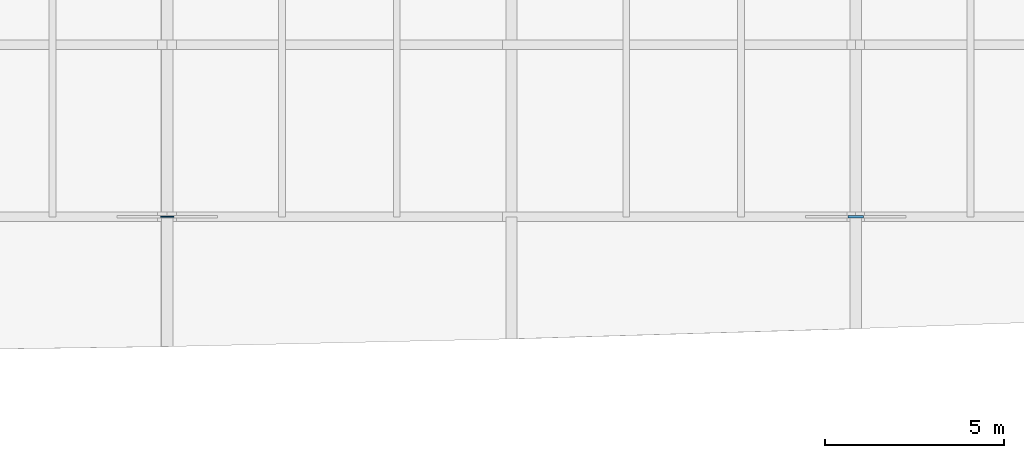
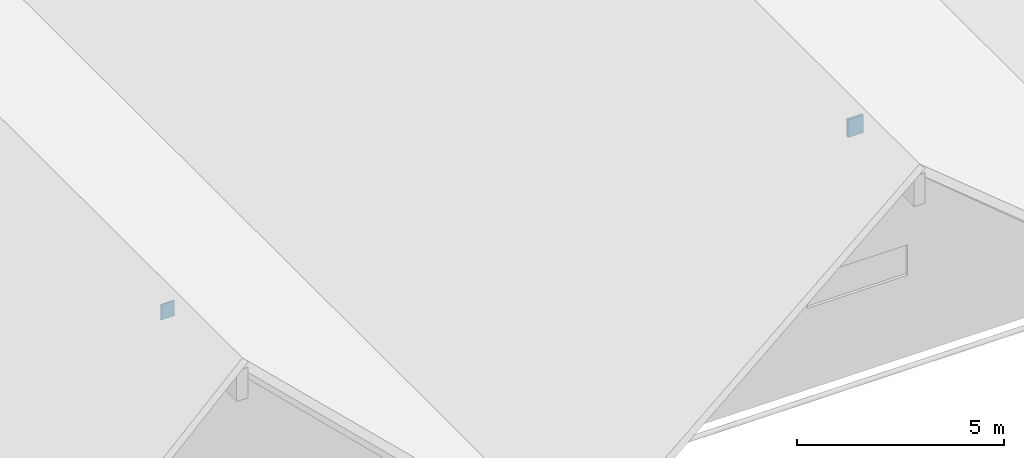
# One storey, part 26 of 42: 2 plates.
"""IFC4 building model written with IfcOpenShell, lengths in metres."""

from ifc_helpers import new_model, si_unit, direction, frame, origin, origin_2d, place, context, subcontext, project, spatial, rectangle, extrude, material, layer, layer_set, type_object, element, save


model = new_model("IFC4")

# Units and contexts
model_context = context("Model", 3, precision=1e-05, world=origin(), true_north=direction((0.0, 1.0)))
body_context = subcontext(model_context, "Body", "Model", "MODEL_VIEW")
ifc_project = project(units=[si_unit("LENGTHUNIT", "METRE"), si_unit("AREAUNIT", "SQUARE_METRE"), si_unit("VOLUMEUNIT", "CUBIC_METRE"), si_unit("PLANEANGLEUNIT", "RADIAN"), si_unit("MASSUNIT", "GRAM", prefix="KILO")], contexts=[model_context])

# Site, building, storey
site_placement = place(None, origin())
site = spatial("IfcSite", under=ifc_project, at=site_placement, CompositionType="ELEMENT")
building_placement = place(site_placement, origin())
building = spatial("IfcBuilding", under=site, at=building_placement, Name="Kolvemor Railside Polytechnic", CompositionType="ELEMENT")
storey_placement = place(building_placement, frame((0.0, 0.0, 14.39990234375)))
storey = spatial("IfcBuildingStorey", under=building, at=storey_placement, Name="L03", CompositionType="ELEMENT", Elevation=14.39990234375)

# Plates
ifc_material_1 = material(Name="Steel S355", Category="steel")
ifc_layer_1 = layer(ifc_material_1, 0.028076171875, Name="PLT-GUSSET-2")
ifc_layer_set_1 = layer_set([ifc_layer_1], Name="Steel S355")
plate_type_1 = type_object("IfcPlateType", Name="PLT-GUSSET-2", PredefinedType="USERDEFINED", material=ifc_layer_set_1)
plate_1_placement = place(storey_placement, frame((105.60009765625, 91.199951171875, 4.087890625), z_axis=(0.0, 0.0, 1.0), x_axis=(1.0, 0.0, 0.0)))
element("IfcPlate", 1, at=plate_1_placement, inside=storey, type_object=plate_type_1, Name="Ridge Gusset Plate GP-5-1", ObjectType="GUSSET PLATE", PredefinedType="USERDEFINED", context=body_context, shape_type="SweptSolid", body=[
    extrude(rectangle(XDim=0.3701171875, YDim=0.028076171875, at=origin_2d()), origin(), (0.0, 0.0, 1.0), 0.4560546875),
])
ifc_material_2 = material(Name="Steel S355", Category="steel")
ifc_layer_2 = layer(ifc_material_2, 0.068115234375, Name="PLT-GUSSET-6")
ifc_layer_set_2 = layer_set([ifc_layer_2], Name="Steel S355")
plate_type_2 = type_object("IfcPlateType", Name="PLT-GUSSET-6", PredefinedType="USERDEFINED", material=ifc_layer_set_2)
plate_2_placement = place(storey_placement, frame((124.800048828125, 91.199951171875, 2.7734375), z_axis=(0.0, 0.0, 1.0), x_axis=(1.0, 0.0, 0.0)))
element("IfcPlate", 2, at=plate_2_placement, inside=storey, type_object=plate_type_2, Name="Ridge Gusset Plate GP-6-1", ObjectType="GUSSET PLATE", PredefinedType="USERDEFINED", context=body_context, shape_type="SweptSolid", body=[
    extrude(rectangle(XDim=0.429931640625, YDim=0.068115234375, at=origin_2d()), origin(), (0.0, 0.0, 1.0), 0.528076171875),
])

save(model, "model.ifc")
